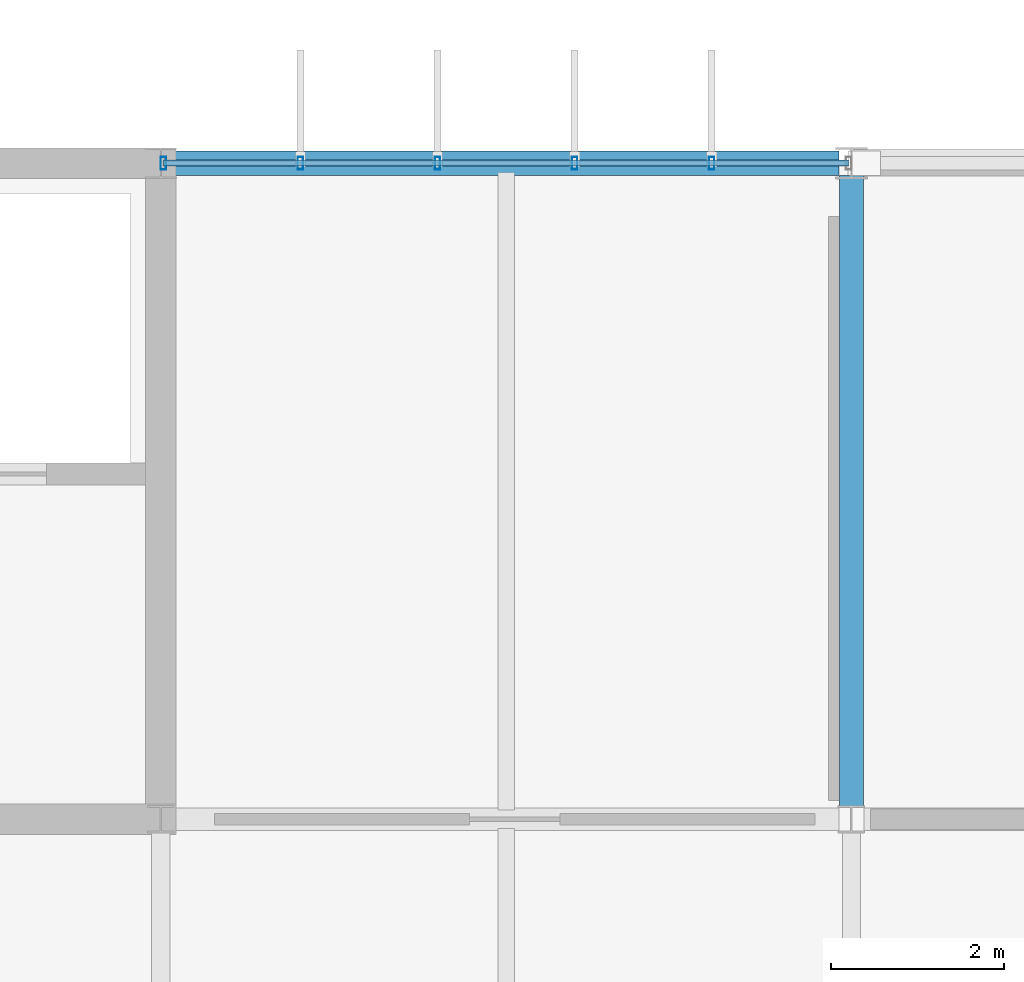
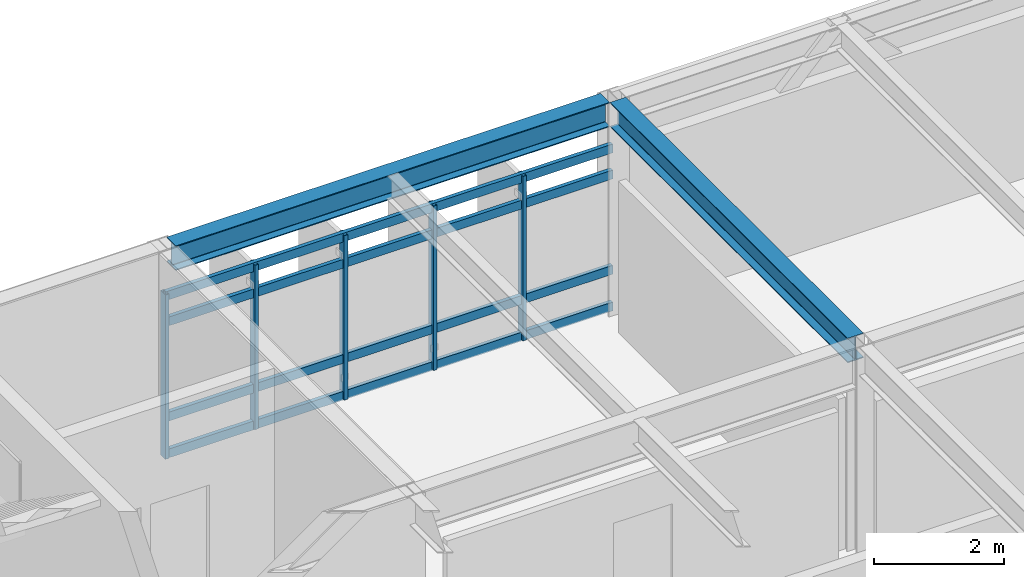
# One storey, part 14 of 33: 9 members, 2 beams, 1 element without a shape of its own.
"""IFC4 building model written with IfcOpenShell, lengths in metres."""

import ifcopenshell
import ifcopenshell.guid

model = None  # the IFC model being written
_history = None  # IfcOwnerHistory: only IFC2X3 demands one
_inside = {}  # id of a spatial element -> (the spatial element, [elements in it])
_under = {}  # id of a project, library or spatial element -> (it, [spatial elements below it])
_declared = {}  # id of a project -> (the project, [libraries it declares])
_typed = {}  # id of a type object -> (the type object, [elements of that type])
_made_of = {}  # id of a material, layer set ... -> (it, [elements and type objects made of it])


def new_model(schema):
    """Start an empty IFC model of exactly this schema.

    Asked for "IFC4X3", IfcOpenShell would pick the latest addendum, in which some entities
    have other attributes; the version numbers below select the first issue.
    IFC2X3 requires an IfcOwnerHistory on every rooted entity: one is made here for all.
    """
    global model, _history
    if schema == "IFC4X3":
        model = ifcopenshell.file(schema_version=(4, 3, 0, 0))
    else:
        model = ifcopenshell.file(schema=schema)
    _inside.clear()
    _under.clear()
    _declared.clear()
    _typed.clear()
    _made_of.clear()
    _history = None
    if model.schema == "IFC2X3":
        org = make("IfcOrganization", Name="unknown")
        user = make(
            "IfcPersonAndOrganization",
            ThePerson=make("IfcPerson", FamilyName="unknown"),
            TheOrganization=org,
        )
        app = make(
            "IfcApplication",
            ApplicationDeveloper=org,
            Version="unknown",
            ApplicationFullName="unknown",
            ApplicationIdentifier="unknown",
        )
        _history = make(
            "IfcOwnerHistory",
            OwningUser=user,
            OwningApplication=app,
            ChangeAction="ADDED",
            CreationDate=0,
        )
    return model


def make(cls, **values):
    """One entity of the class cls with the attributes given. An attribute that is None is left unset."""
    return model.create_entity(
        cls, **{name: value for name, value in values.items() if value is not None}
    )


def rooted(cls, **values):
    """An entity with a GlobalId (a new one), such as an element, a storey or a relation."""
    return make(cls, GlobalId=ifcopenshell.guid.new(), OwnerHistory=_history, **values)


def si_unit(unit_type, name, prefix=None):
    """IfcSIUnit, for example si_unit("LENGTHUNIT", "METRE", prefix="MILLI")."""
    return make("IfcSIUnit", UnitType=unit_type, Prefix=prefix, Name=name)


def assignment(units):
    """IfcUnitAssignment: the units of a project."""
    return None if units is None else make("IfcUnitAssignment", Units=units)


def point(xyz):
    """IfcCartesianPoint."""
    return None if xyz is None else make("IfcCartesianPoint", Coordinates=xyz)


def direction(xyz):
    """IfcDirection."""
    return None if xyz is None else make("IfcDirection", DirectionRatios=xyz)


def frame(location, z_axis=None, x_axis=None):
    """IfcAxis2Placement3D, a coordinate frame: its origin and axes. An axis left out is left unset."""
    return make(
        "IfcAxis2Placement3D",
        Location=point(location),
        Axis=direction(z_axis),
        RefDirection=direction(x_axis),
    )


def frame_2d(location, x_axis=None):
    """IfcAxis2Placement2D, a coordinate frame in the plane: its origin and x axis."""
    return make(
        "IfcAxis2Placement2D", Location=point(location), RefDirection=direction(x_axis)
    )


def origin():
    """The frame at (0, 0, 0) with its axes left unset."""
    return frame((0.0, 0.0, 0.0))


def origin_2d():
    """The frame at (0, 0) in the plane with its x axis left unset."""
    return frame_2d((0.0, 0.0))


def place(relative_to, where):
    """IfcLocalPlacement: puts the frame where relative to a parent placement (None: the world)."""
    return make(
        "IfcLocalPlacement", PlacementRelTo=relative_to, RelativePlacement=where
    )


def context(
    kind, dimensions, precision=None, world=None, true_north=None, identifier=None
):
    """IfcGeometricRepresentationContext, for example the 3D "Model" context."""
    return make(
        "IfcGeometricRepresentationContext",
        ContextIdentifier=identifier,
        ContextType=kind,
        CoordinateSpaceDimension=dimensions,
        Precision=precision,
        WorldCoordinateSystem=world,
        TrueNorth=true_north,
    )


def subcontext(parent, identifier, kind, view, scale=None):
    """IfcGeometricRepresentationSubContext, for example "Body" below "Model"."""
    return make(
        "IfcGeometricRepresentationSubContext",
        ContextIdentifier=identifier,
        ContextType=kind,
        ParentContext=parent,
        TargetScale=scale,
        TargetView=view,
    )


def project(units=None, contexts=None):
    """IfcProject with its units and contexts."""
    return rooted(
        "IfcProject",
        Name="project",
        RepresentationContexts=contexts,
        UnitsInContext=assignment(units),
    )


def spatial(cls, under=None, at=None, **own):
    """A site, building, storey or space (cls), placed at a placement, below another one or the project."""
    s = rooted(cls, ObjectPlacement=at, **own)
    if under is not None:
        _under.setdefault(under.id(), (under, []))[1].append(s)
    return s


def profile(cls, at=None, kind="AREA", **sizes):
    """A parametric profile (cls). Its sizes go by their IFC names, for example OverallWidth=200.0."""
    return make(cls, ProfileType=kind, Position=at, **sizes)


def hollow_rectangle(**sizes):
    """IfcRectangleHollowProfileDef."""
    return profile("IfcRectangleHollowProfileDef", **sizes)


def i_section(**sizes):
    """IfcIShapeProfileDef."""
    return profile("IfcIShapeProfileDef", **sizes)


def extrude(swept, where, along, depth):
    """IfcExtrudedAreaSolid: the profile swept, set in the frame where, extruded along a direction by depth."""
    return make(
        "IfcExtrudedAreaSolid",
        SweptArea=swept,
        Position=where,
        ExtrudedDirection=direction(along),
        Depth=depth,
    )


def shape(context_of_items, identifier, shape_type, items):
    """IfcShapeRepresentation: the items that make up one representation, for example the "Body"."""
    return make(
        "IfcShapeRepresentation",
        ContextOfItems=context_of_items,
        RepresentationIdentifier=identifier,
        RepresentationType=shape_type,
        Items=items,
    )


def material(Name=None, Category=None):
    """IfcMaterial."""
    return make("IfcMaterial", Name=Name, Category=Category)


def material_profile(
    of_material, cross_section, Name=None, Category=None, Priority=None
):
    """IfcMaterialProfile: a cross section and its material."""
    return make(
        "IfcMaterialProfile",
        Name=Name,
        Material=of_material,
        Profile=cross_section,
        Priority=Priority,
        Category=Category,
    )


def profile_set(profiles, Name=None, composite=None):
    """IfcMaterialProfileSet."""
    return make(
        "IfcMaterialProfileSet",
        Name=Name,
        MaterialProfiles=profiles,
        CompositeProfile=composite,
    )


def made_of(thing, what):
    """Note that an element or type object is made of a material, layer set ...; save() writes the relation."""
    if what is not None:
        _made_of.setdefault(what.id(), (what, []))[1].append(thing)
    return thing


def type_object(cls, material=None, **own):
    """A type object (cls), such as IfcWallType, which elements share."""
    return made_of(rooted(cls, **own), material)


def element(
    cls,
    number,
    at=None,
    inside=None,
    cuts=None,
    type_object=None,
    material=None,
    context=None,
    identifier="Body",
    shape_type=None,
    held_by="IfcProductDefinitionShape",
    body=None,
    shapes=None,
    **own,
):
    """One element of the class cls, such as IfcWall. Its Tag is "e" and its number.

    at: its placement. inside: the storey or other place that contains it. cuts: it is an
    opening in that element (IfcRelVoidsElement). A single representation is given by context,
    identifier, shape_type and body (its items); several are given by shapes. held_by: the class
    of the entity that holds the representations. save() writes the other relations.
    """
    e = rooted(cls, Tag="e%d" % number, ObjectPlacement=at, **own)
    if body is not None:
        shapes = [shape(context, identifier, shape_type, body)]
    if shapes is not None:
        e.Representation = make(held_by, Representations=shapes)
    if inside is not None:
        _inside.setdefault(inside.id(), (inside, []))[1].append(e)
    if cuts is not None:
        rooted(
            "IfcRelVoidsElement", RelatingBuildingElement=cuts, RelatedOpeningElement=e
        )
    if type_object is not None:
        _typed.setdefault(type_object.id(), (type_object, []))[1].append(e)
    return made_of(e, material)


def aggregate(whole, parts):
    """IfcRelAggregates: a whole, such as a stair, and the parts it consists of."""
    return rooted("IfcRelAggregates", RelatingObject=whole, RelatedObjects=parts)


def save(model, path):
    """Write the relations noted so far, then the file.

    IfcRelAggregates (storeys below a building ...), IfcRelContainedInSpatialStructure (elements
    in a storey), IfcRelDefinesByType, IfcRelAssociatesMaterial and IfcRelDeclares: one each for
    every whole, place, type object, material and project.
    """
    for whole, parts in _under.values():
        aggregate(whole, parts)
    for where, things in _inside.values():
        rooted(
            "IfcRelContainedInSpatialStructure",
            RelatedElements=things,
            RelatingStructure=where,
        )
    for kind, things in _typed.values():
        rooted("IfcRelDefinesByType", RelatedObjects=things, RelatingType=kind)
    for what, things in _made_of.values():
        rooted("IfcRelAssociatesMaterial", RelatedObjects=things, RelatingMaterial=what)
    for by, libraries in _declared.values():
        rooted("IfcRelDeclares", RelatingContext=by, RelatedDefinitions=libraries)
    model.write(path)


model = new_model("IFC4")

# Units and contexts
model_context = context("Model", 3, precision=1e-05, world=origin(), true_north=direction((0.0, 1.0)))
body_context = subcontext(model_context, "Body", "Model", "MODEL_VIEW")
ifc_project = project(units=[si_unit("LENGTHUNIT", "METRE"), si_unit("AREAUNIT", "SQUARE_METRE"), si_unit("VOLUMEUNIT", "CUBIC_METRE"), si_unit("PLANEANGLEUNIT", "RADIAN"), si_unit("MASSUNIT", "GRAM", prefix="KILO")], contexts=[model_context])

# Site, building, storey
site_placement = place(None, origin())
site = spatial("IfcSite", under=ifc_project, at=site_placement, CompositionType="ELEMENT")
building_placement = place(site_placement, origin())
building = spatial("IfcBuilding", under=site, at=building_placement, Name="Zulena Civic Courthouse", CompositionType="ELEMENT")
storey_placement = place(building_placement, frame((0.0, 0.0, 33.60009765625)))
storey = spatial("IfcBuildingStorey", under=building, at=storey_placement, Name="L07", CompositionType="ELEMENT", Elevation=33.60009765625)

# Curtain wall, members
ifc_material_1 = material(Name="Double-silver low-E laminated solar-control glass", Category="glass")
curtain_wall_type = type_object("IfcCurtainWallType", Name="CW_7940x3090", PredefinedType="USERDEFINED", material=ifc_material_1)
curtain_wall_placement = place(storey_placement, origin())
curtain_wall = element("IfcCurtainWall", 1, at=curtain_wall_placement, inside=storey, type_object=curtain_wall_type, Name="cw:V2:L07:1:2", ObjectType="UNITISED CURTAIN WALL", PredefinedType="USERDEFINED")
ifc_material_2 = material(Name="Bronze anodised thermally broken aluminium AA6063-T6", Category="aluminium")
ifc_material_profile_1 = material_profile(ifc_material_2, hollow_rectangle(XDim=0.06494140625, YDim=0.14990234375, WallThickness=0.00390625, at=origin_2d()), Name="CWM150X65X4")
ifc_profile_set_1 = profile_set([ifc_material_profile_1], Name="Bronze anodised thermally broken aluminium AA6063-T6")
member_type_1 = type_object("IfcMemberType", Name="CWMullion_150x65", PredefinedType="MULLION", material=ifc_profile_set_1)
member_1_placement = place(storey_placement, frame((28.030029296875, 22.800048828125, 0.0), z_axis=(0.0, 0.0, 1.0), x_axis=(1.0, 0.0, 0.0)))
member_1 = element("IfcMember", 2, at=member_1_placement, type_object=member_type_1, Name="cw:V2:L07:1:2:mull:0", PredefinedType="MULLION", context=body_context, shape_type="SweptSolid", body=[
    extrude(hollow_rectangle(XDim=0.06494140625, YDim=0.14990234375, WallThickness=0.00390625, at=origin_2d()), origin(), (0.0, 0.0, 1.0), 3.08984375),
])
member_2_placement = place(storey_placement, frame((29.617919921875, 22.800048828125, 0.0), z_axis=(0.0, 0.0, 1.0), x_axis=(1.0, 0.0, 0.0)))
member_2 = element("IfcMember", 3, at=member_2_placement, type_object=member_type_1, Name="cw:V2:L07:1:2:mull:1", PredefinedType="MULLION", context=body_context, shape_type="SweptSolid", body=[
    extrude(hollow_rectangle(XDim=0.06494140625, YDim=0.14990234375, WallThickness=0.00390625, at=origin_2d()), origin(), (0.0, 0.0, 1.0), 3.08984375),
])
member_3_placement = place(storey_placement, frame((31.2060546875, 22.800048828125, 0.0), z_axis=(0.0, 0.0, 1.0), x_axis=(1.0, 0.0, 0.0)))
member_3 = element("IfcMember", 4, at=member_3_placement, type_object=member_type_1, Name="cw:V2:L07:1:2:mull:2", PredefinedType="MULLION", context=body_context, shape_type="SweptSolid", body=[
    extrude(hollow_rectangle(XDim=0.06494140625, YDim=0.14990234375, WallThickness=0.00390625, at=origin_2d()), origin(), (0.0, 0.0, 1.0), 3.08984375),
])
member_4_placement = place(storey_placement, frame((32.7939453125, 22.800048828125, 0.0), z_axis=(0.0, 0.0, 1.0), x_axis=(1.0, 0.0, 0.0)))
member_4 = element("IfcMember", 5, at=member_4_placement, type_object=member_type_1, Name="cw:V2:L07:1:2:mull:3", PredefinedType="MULLION", context=body_context, shape_type="SweptSolid", body=[
    extrude(hollow_rectangle(XDim=0.06494140625, YDim=0.14990234375, WallThickness=0.00390625, at=origin_2d()), origin(), (0.0, 0.0, 1.0), 3.08984375),
])
member_5_placement = place(storey_placement, frame((34.382080078125, 22.800048828125, 0.0), z_axis=(0.0, 0.0, 1.0), x_axis=(1.0, 0.0, 0.0)))
member_5 = element("IfcMember", 6, at=member_5_placement, type_object=member_type_1, Name="cw:V2:L07:1:2:mull:4", PredefinedType="MULLION", context=body_context, shape_type="SweptSolid", body=[
    extrude(hollow_rectangle(XDim=0.06494140625, YDim=0.14990234375, WallThickness=0.00390625, at=origin_2d()), origin(), (0.0, 0.0, 1.0), 3.08984375),
])
ifc_material_profile_2 = material_profile(ifc_material_2, hollow_rectangle(XDim=0.070068359375, YDim=0.1650390625, WallThickness=0.00390625, at=origin_2d()), Name="CWT165X70X4")
ifc_profile_set_2 = profile_set([ifc_material_profile_2], Name="Bronze anodised thermally broken aluminium AA6063-T6")
member_type_2 = type_object("IfcMemberType", Name="CWTransom_165x70", PredefinedType="USERDEFINED", material=ifc_profile_set_2)
member_6_placement = place(storey_placement, frame((28.030029296875, 22.800048828125, 0.059814453125), z_axis=(1.0, 0.0, 0.0), x_axis=(0.0, 1.0, 0.0)))
member_6 = element("IfcMember", 7, at=member_6_placement, type_object=member_type_2, Name="cw:V2:L07:1:2:tran:0", ObjectType="TRANSOM", PredefinedType="USERDEFINED", context=body_context, shape_type="SweptSolid", body=[
    extrude(hollow_rectangle(XDim=0.070068359375, YDim=0.1650390625, WallThickness=0.00390625, at=origin_2d()), origin(), (0.0, 0.0, 1.0), 7.93994140625),
])
member_7_placement = place(storey_placement, frame((28.030029296875, 22.800048828125, 0.75), z_axis=(1.0, 0.0, 0.0), x_axis=(0.0, 1.0, 0.0)))
member_7 = element("IfcMember", 8, at=member_7_placement, type_object=member_type_2, Name="cw:V2:L07:1:2:tran:1", ObjectType="TRANSOM", PredefinedType="USERDEFINED", context=body_context, shape_type="SweptSolid", body=[
    extrude(hollow_rectangle(XDim=0.070068359375, YDim=0.1650390625, WallThickness=0.00390625, at=origin_2d()), origin(), (0.0, 0.0, 1.0), 7.93994140625),
])
member_8_placement = place(storey_placement, frame((28.030029296875, 22.800048828125, 2.539794921875), z_axis=(1.0, 0.0, 0.0), x_axis=(0.0, 1.0, 0.0)))
member_8 = element("IfcMember", 9, at=member_8_placement, type_object=member_type_2, Name="cw:V2:L07:1:2:tran:2", ObjectType="TRANSOM", PredefinedType="USERDEFINED", context=body_context, shape_type="SweptSolid", body=[
    extrude(hollow_rectangle(XDim=0.070068359375, YDim=0.1650390625, WallThickness=0.00390625, at=origin_2d()), origin(), (0.0, 0.0, 1.0), 7.93994140625),
])
member_9_placement = place(storey_placement, frame((28.030029296875, 22.800048828125, 3.02978515625), z_axis=(1.0, 0.0, 0.0), x_axis=(0.0, 1.0, 0.0)))
member_9 = element("IfcMember", 10, at=member_9_placement, type_object=member_type_2, Name="cw:V2:L07:1:2:tran:3", ObjectType="TRANSOM", PredefinedType="USERDEFINED", context=body_context, shape_type="SweptSolid", body=[
    extrude(hollow_rectangle(XDim=0.070068359375, YDim=0.1650390625, WallThickness=0.00390625, at=origin_2d()), origin(), (0.0, 0.0, 1.0), 7.93994140625),
])
aggregate(curtain_wall, [member_1, member_2, member_3, member_4, member_5, member_6, member_7, member_8, member_9])

# Beams
ifc_material_3 = material(Name="Steel ASTM A992 Grade 50", Category="steel")
ifc_material_profile_3 = material_profile(ifc_material_3, i_section(OverallWidth=0.280029296875, OverallDepth=0.462890625, WebThickness=0.0107421875, FlangeThickness=0.017333984375, FilletRadius=0.01025390625, at=origin_2d()), Name="W18X76")
ifc_profile_set_3 = profile_set([ifc_material_profile_3], Name="Steel ASTM A992 Grade 50")
beam_type = type_object("IfcBeamType", Name="Spandrel_W18X76", PredefinedType="SPANDREL", material=ifc_profile_set_3)
beam_1_placement = place(storey_placement, frame((28.14501953125, 22.800048828125, 3.768310546875), z_axis=(1.0, 0.0, 0.0), x_axis=(0.0, 1.0, 0.0)))
element("IfcBeam", 11, at=beam_1_placement, inside=storey, type_object=beam_type, Name="beam:X:V2:L07:22.8:28.0_36.0", PredefinedType="SPANDREL", context=body_context, shape_type="SweptSolid", body=[
    extrude(i_section(OverallWidth=0.280029296875, OverallDepth=0.462890625, WebThickness=0.0107421875, FlangeThickness=0.017333984375, FilletRadius=0.01025390625, at=origin_2d()), origin(), (0.0, 0.0, 1.0), 7.7099609375),
])
beam_2_placement = place(storey_placement, frame((36.0, 15.344970703125, 3.768310546875), z_axis=(0.0, 1.0, 0.0), x_axis=(-1.0, 0.0, 0.0)))
element("IfcBeam", 12, at=beam_2_placement, inside=storey, type_object=beam_type, Name="beam:Y:V2:L07:36.0:15.2_22.8", PredefinedType="SPANDREL", context=body_context, shape_type="SweptSolid", body=[
    extrude(i_section(OverallWidth=0.280029296875, OverallDepth=0.462890625, WebThickness=0.0107421875, FlangeThickness=0.017333984375, FilletRadius=0.01025390625, at=origin_2d()), origin(), (0.0, 0.0, 1.0), 7.31005859375),
])

save(model, "model.ifc")
